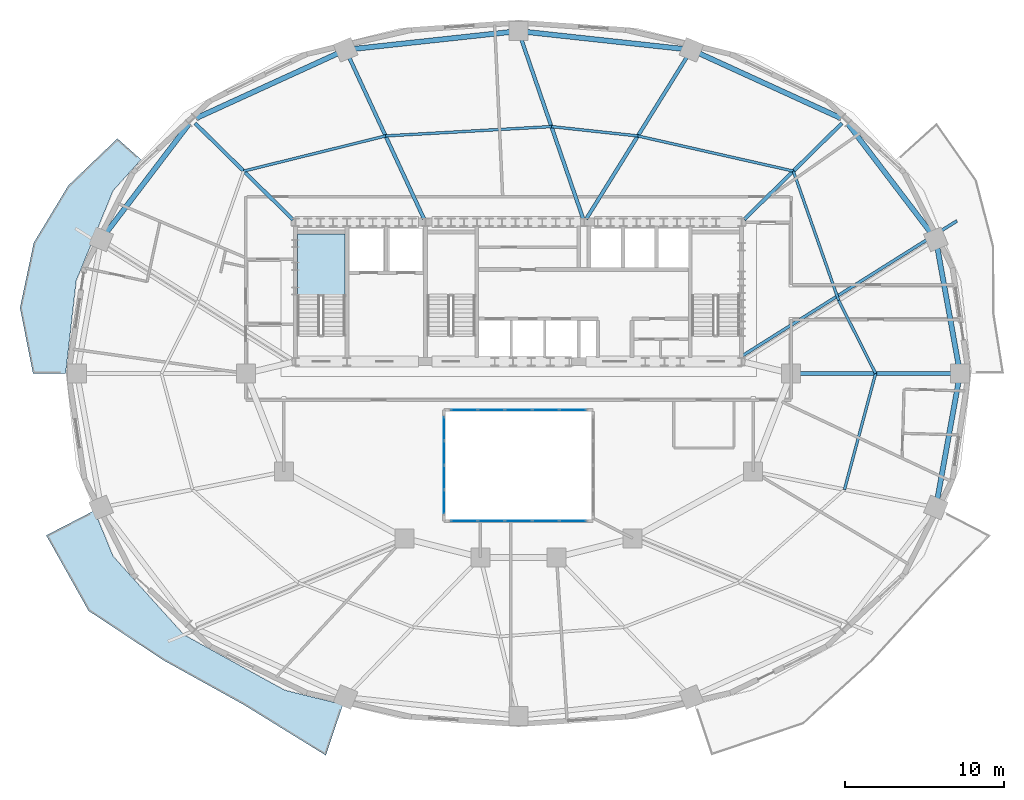
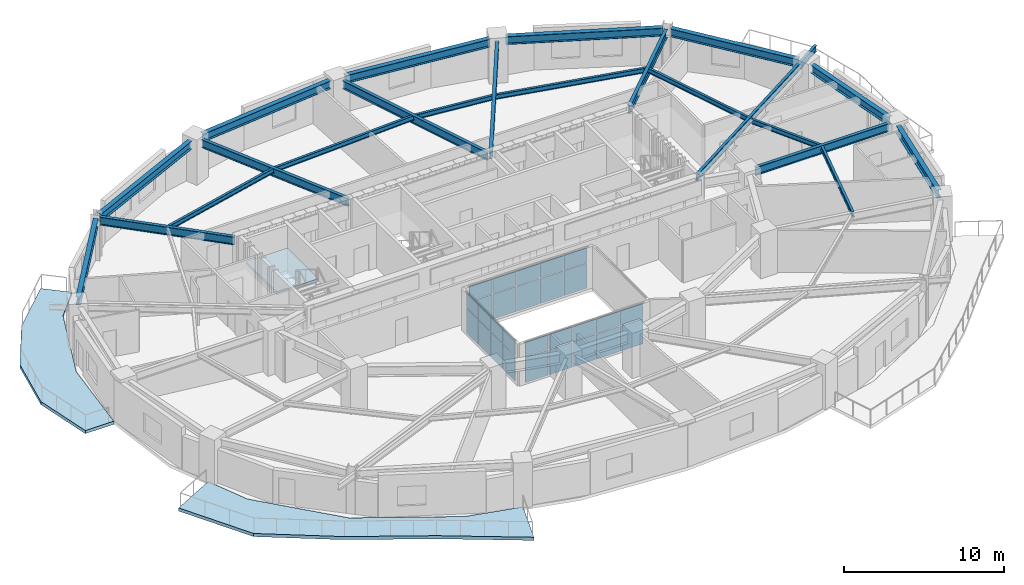
# One storey, part 5 of 13: 28 plates, 22 beams, 3 slabs, 4 elements without a shape of their own.
"""IFC4 building model written with IfcOpenShell, lengths in metres."""

from ifc_helpers import new_model, si_unit, direction, frame, origin, origin_2d, place, context, subcontext, project, spatial, polyline, rectangle, i_section, outline, extrude, material, layer, layer_set, material_profile, profile_set, type_object, element, aggregate, save


model = new_model("IFC4")

# Units and contexts
model_context = context("Model", 3, precision=1e-05, world=origin(), true_north=direction((0.0, 1.0)))
body_context = subcontext(model_context, "Body", "Model", "MODEL_VIEW")
ifc_project = project(units=[si_unit("LENGTHUNIT", "METRE"), si_unit("AREAUNIT", "SQUARE_METRE"), si_unit("VOLUMEUNIT", "CUBIC_METRE"), si_unit("PLANEANGLEUNIT", "RADIAN"), si_unit("MASSUNIT", "GRAM", prefix="KILO")], contexts=[model_context])

# Site, building, storey
site_placement = place(None, origin())
site = spatial("IfcSite", under=ifc_project, at=site_placement, CompositionType="ELEMENT")
building_placement = place(site_placement, origin())
building = spatial("IfcBuilding", under=site, at=building_placement, Name="Haldorwick Loom Tower", CompositionType="ELEMENT")
storey_placement = place(building_placement, frame((0.0, 0.0, 124.25)))
storey = spatial("IfcBuildingStorey", under=building, at=storey_placement, Name="L33", CompositionType="ELEMENT", Elevation=124.25)

# Beams
ifc_material_1 = material(Name="Steel CSA G40.21 350W", Category="steel")
ifc_material_profile_1 = material_profile(ifc_material_1, i_section(OverallWidth=0.193115234375, OverallDepth=0.466064453125, WebThickness=0.011474609375, FlangeThickness=0.01904296875, at=origin_2d()), Name="W460X97", Category="steel")
ifc_profile_set_1 = profile_set([ifc_material_profile_1], Name="Steel CSA G40.21 350W")
beam_type_1 = type_object("IfcBeamType", Name="STR-BM-BAL460", PredefinedType="BEAM", material=ifc_profile_set_1)
beam_1_placement = place(storey_placement, frame((50.111572265625, 27.106689453125, 2.97705078125), z_axis=(0.846609845451, 0.532214026108, 0.0), x_axis=(-0.532214026108, 0.846609845451, 0.0)))
element("IfcBeam", 1, at=beam_1_placement, inside=storey, type_object=beam_type_1, Name="L33 Continuous Back-Spanned Balcony Beam 4", PredefinedType="BEAM", context=body_context, shape_type="SweptSolid", body=[
    extrude(i_section(OverallWidth=0.193115234375, OverallDepth=0.466064453125, WebThickness=0.011474609375, FlangeThickness=0.01904296875, at=origin_2d()), origin(), (0.0, 0.0, 1.0), 16.0068359375),
])
ifc_material_profile_2 = material_profile(ifc_material_1, i_section(OverallWidth=0.172119140625, OverallDepth=0.35791015625, WebThickness=0.0078125, FlangeThickness=0.01318359375, at=origin_2d()), Name="W360X57", Category="steel")
ifc_profile_set_2 = profile_set([ifc_material_profile_2], Name="Steel CSA G40.21 350W")
beam_type_2 = type_object("IfcBeamType", Name="STR-BM-J360", PredefinedType="JOIST", material=ifc_profile_set_2)
beam_2_placement = place(storey_placement, frame((58.52880859375, 26.0, 3.031005859375), z_axis=(-0.451373231558, 0.892335254169, 0.0), x_axis=(-0.892335254169, -0.451373231558, 0.0)))
element("IfcBeam", 2, at=beam_2_placement, inside=storey, type_object=beam_type_2, Name="L33 Mid-Bay Secondary Joist 1", PredefinedType="JOIST", context=body_context, shape_type="SweptSolid", body=[
    extrude(i_section(OverallWidth=0.172119140625, OverallDepth=0.35791015625, WebThickness=0.0078125, FlangeThickness=0.01318359375, at=origin_2d()), origin(), (0.0, 0.0, 1.0), 5.158935546875),
])
beam_3_placement = place(storey_placement, frame((56.2001953125, 30.603515625, 3.031005859375), z_axis=(-0.330864603503, 0.943678236556, 0.0), x_axis=(-0.943678236556, -0.330864603503, 0.0)))
element("IfcBeam", 3, at=beam_3_placement, inside=storey, type_object=beam_type_2, Name="L33 Mid-Bay Secondary Joist 2", PredefinedType="JOIST", context=body_context, shape_type="SweptSolid", body=[
    extrude(i_section(OverallWidth=0.172119140625, OverallDepth=0.35791015625, WebThickness=0.0078125, FlangeThickness=0.01318359375, at=origin_2d()), origin(), (0.0, 0.0, 1.0), 8.6494140625),
])
beam_4_placement = place(storey_placement, frame((53.33837890625, 38.765869140625, 3.031005859375), z_axis=(-0.975380231772, 0.22052982444, 0.0), x_axis=(-0.22052982444, -0.975380231772, 0.0)))
element("IfcBeam", 4, at=beam_4_placement, inside=storey, type_object=beam_type_2, Name="L33 Mid-Bay Secondary Joist 3", PredefinedType="JOIST", context=body_context, shape_type="SweptSolid", body=[
    extrude(i_section(OverallWidth=0.172119140625, OverallDepth=0.35791015625, WebThickness=0.0078125, FlangeThickness=0.01318359375, at=origin_2d()), origin(), (0.0, 0.0, 1.0), 10.0576171875),
])
beam_5_placement = place(storey_placement, frame((43.5283203125, 40.98388671875, 3.031005859375), z_axis=(-0.994191869342, 0.107622148904, 0.0), x_axis=(-0.107622148904, -0.994191869342, 0.0)))
element("IfcBeam", 5, at=beam_5_placement, inside=storey, type_object=beam_type_2, Name="L33 Mid-Bay Secondary Joist 4", PredefinedType="JOIST", context=body_context, shape_type="SweptSolid", body=[
    extrude(i_section(OverallWidth=0.172119140625, OverallDepth=0.35791015625, WebThickness=0.0078125, FlangeThickness=0.01318359375, at=origin_2d()), origin(), (0.0, 0.0, 1.0), 5.485107421875),
])
beam_6_placement = place(storey_placement, frame((38.074951171875, 41.57421875, 3.031005859375), z_axis=(-0.998412171013, -0.056330602457, 0.0), x_axis=(0.056330602457, -0.998412171013, 0.0)))
element("IfcBeam", 6, at=beam_6_placement, inside=storey, type_object=beam_type_2, Name="L33 Mid-Bay Secondary Joist 5", PredefinedType="JOIST", context=body_context, shape_type="SweptSolid", body=[
    extrude(i_section(OverallWidth=0.172119140625, OverallDepth=0.35791015625, WebThickness=0.0078125, FlangeThickness=0.01318359375, at=origin_2d()), origin(), (0.0, 0.0, 1.0), 10.479736328125),
])
beam_7_placement = place(storey_placement, frame((27.61181640625, 40.98388671875, 3.031005859375), z_axis=(-0.970638838364, -0.240541567009, 0.0), x_axis=(0.240541567009, -0.970638838364, 0.0)))
element("IfcBeam", 7, at=beam_7_placement, inside=storey, type_object=beam_type_2, Name="L33 Mid-Bay Secondary Joist 6", PredefinedType="JOIST", context=body_context, shape_type="SweptSolid", body=[
    extrude(i_section(OverallWidth=0.172119140625, OverallDepth=0.35791015625, WebThickness=0.0078125, FlangeThickness=0.01318359375, at=origin_2d()), origin(), (0.0, 0.0, 1.0), 9.220947265625),
])
beam_8_placement = place(storey_placement, frame((56.565185546875, 18.67138671875, 3.031005859375), z_axis=(0.258810072536, 0.965928230436, 0.0), x_axis=(-0.965928230436, 0.258810072536, 0.0)))
element("IfcBeam", 8, at=beam_8_placement, inside=storey, type_object=beam_type_2, Name="L33 Mid-Bay Secondary Joist 16", PredefinedType="JOIST", context=body_context, shape_type="SweptSolid", body=[
    extrude(i_section(OverallWidth=0.172119140625, OverallDepth=0.35791015625, WebThickness=0.0078125, FlangeThickness=0.01318359375, at=origin_2d()), origin(), (0.0, 0.0, 1.0), 7.587158203125),
])
ifc_material_profile_3 = material_profile(ifc_material_1, i_section(OverallWidth=0.324951171875, OverallDepth=0.615966796875, WebThickness=0.013916015625, FlangeThickness=0.021484375, at=origin_2d()), Name="W610X174", Category="steel")
ifc_profile_set_3 = profile_set([ifc_material_profile_3], Name="Steel CSA G40.21 350W")
beam_type_3 = type_object("IfcBeamType", Name="STR-BM-SP610", PredefinedType="SPANDREL", material=ifc_profile_set_3)
beam_9_placement = place(storey_placement, frame((63.76513671875, 26.51171875, 2.902099609375), z_axis=(-0.177659490888, 0.984092020747, 0.0), x_axis=(-0.984092020747, -0.177659490888, 0.0)))
element("IfcBeam", 9, at=beam_9_placement, inside=storey, type_object=beam_type_3, Name="L33 Perimeter Spandrel 1", PredefinedType="SPANDREL", context=body_context, shape_type="SweptSolid", body=[
    extrude(i_section(OverallWidth=0.324951171875, OverallDepth=0.615966796875, WebThickness=0.013916015625, FlangeThickness=0.021484375, at=origin_2d()), origin(), (0.0, 0.0, 1.0), 7.553955078125),
])
beam_10_placement = place(storey_placement, frame((62.015869140625, 34.87109375, 2.902099609375), z_axis=(-0.605453508047, 0.795880675475, 0.0), x_axis=(-0.795880675475, -0.605453508047, 0.0)))
element("IfcBeam", 10, at=beam_10_placement, inside=storey, type_object=beam_type_3, Name="L33 Perimeter Spandrel 2", PredefinedType="SPANDREL", context=body_context, shape_type="SweptSolid", body=[
    extrude(i_section(OverallWidth=0.324951171875, OverallDepth=0.615966796875, WebThickness=0.013916015625, FlangeThickness=0.021484375, at=origin_2d()), origin(), (0.0, 0.0, 1.0), 8.6591796875),
])
beam_11_placement = place(storey_placement, frame((56.356689453125, 42.09619140625, 2.902099609375), z_axis=(-0.909423969306, 0.415870225011, 0.0), x_axis=(-0.415870225011, -0.909423969306, 0.0)))
element("IfcBeam", 11, at=beam_11_placement, inside=storey, type_object=beam_type_3, Name="L33 Perimeter Spandrel 3", PredefinedType="SPANDREL", context=body_context, shape_type="SweptSolid", body=[
    extrude(i_section(OverallWidth=0.324951171875, OverallDepth=0.615966796875, WebThickness=0.013916015625, FlangeThickness=0.021484375, at=origin_2d()), origin(), (0.0, 0.0, 1.0), 9.871337890625),
])
for number, where, z_axis, x_axis, name in (
    (12, (46.389404296875, 46.4736328125, 2.902099609375), (-0.994190135627, 0.107638163409, 0.0), (-0.107638163409, -0.994190135627, 0.0), "L33 Perimeter Spandrel 4"),
    (13, (35.48291015625, 47.54248046875, 2.902099609375), (-0.994190135627, -0.107638163409, 0.0), (0.107638163409, -0.994190135627, 0.0), "L33 Perimeter Spandrel 5"),
):
    element("IfcBeam", number, at=place(storey_placement, frame(where, z_axis=z_axis, x_axis=x_axis)), inside=storey, type_object=beam_type_3, Name=name, PredefinedType="SPANDREL", context=body_context, shape_type="SweptSolid", body=[
        extrude(i_section(OverallWidth=0.324951171875, OverallDepth=0.615966796875, WebThickness=0.013916015625, FlangeThickness=0.021484375, at=origin_2d()), origin(), (0.0, 0.0, 1.0), 9.929931640625),
    ])
beam_12_placement = place(storey_placement, frame((24.62060546875, 46.201416015625, 2.902099609375), z_axis=(-0.909423969306, -0.415870225011, 0.0), x_axis=(0.415870225011, -0.909423969306, 0.0)))
element("IfcBeam", 14, at=beam_12_placement, inside=storey, type_object=beam_type_3, Name="L33 Perimeter Spandrel 6", PredefinedType="SPANDREL", context=body_context, shape_type="SweptSolid", body=[
    extrude(i_section(OverallWidth=0.324951171875, OverallDepth=0.615966796875, WebThickness=0.013916015625, FlangeThickness=0.021484375, at=origin_2d()), origin(), (0.0, 0.0, 1.0), 9.871337890625),
])
beam_13_placement = place(storey_placement, frame((15.226806640625, 41.7626953125, 2.902099609375), z_axis=(-0.605453508047, -0.795880675475, 0.0), x_axis=(0.795880675475, -0.605453508047, 0.0)))
element("IfcBeam", 15, at=beam_13_placement, inside=storey, type_object=beam_type_3, Name="L33 Perimeter Spandrel 7", PredefinedType="SPANDREL", context=body_context, shape_type="SweptSolid", body=[
    extrude(i_section(OverallWidth=0.324951171875, OverallDepth=0.615966796875, WebThickness=0.013916015625, FlangeThickness=0.021484375, at=origin_2d()), origin(), (0.0, 0.0, 1.0), 8.6591796875),
])
beam_14_placement = place(storey_placement, frame((62.423095703125, 18.054443359375, 2.902099609375), z_axis=(0.177659490888, 0.984092020747, 0.0), x_axis=(-0.984092020747, 0.177659490888, 0.0)))
element("IfcBeam", 16, at=beam_14_placement, inside=storey, type_object=beam_type_3, Name="L33 Perimeter Spandrel 16", PredefinedType="SPANDREL", context=body_context, shape_type="SweptSolid", body=[
    extrude(i_section(OverallWidth=0.324951171875, OverallDepth=0.615966796875, WebThickness=0.013916015625, FlangeThickness=0.021484375, at=origin_2d()), origin(), (0.0, 0.0, 1.0), 7.553955078125),
])
ifc_material_profile_4 = material_profile(ifc_material_1, i_section(OverallWidth=0.22998046875, OverallDepth=0.616943359375, WebThickness=0.01318359375, FlangeThickness=0.022216796875, at=origin_2d()), Name="W610X140", Category="steel")
ifc_profile_set_4 = profile_set([ifc_material_profile_4], Name="Steel CSA G40.21 350W")
beam_type_4 = type_object("IfcBeamType", Name="STR-BM-W610B", PredefinedType="BEAM", material=ifc_profile_set_4)
beam_15_placement = place(storey_placement, frame((53.719970703125, 26.0, 2.901611328125), z_axis=(1.0, 0.0, 0.0), x_axis=(0.0, 1.0, 0.0)))
element("IfcBeam", 17, at=beam_15_placement, inside=storey, type_object=beam_type_4, Name="L33 Radial Floor Girder 1", PredefinedType="BEAM", context=body_context, shape_type="SweptSolid", body=[
    extrude(i_section(OverallWidth=0.22998046875, OverallDepth=0.616943359375, WebThickness=0.01318359375, FlangeThickness=0.022216796875, at=origin_2d()), origin(), (0.0, 0.0, 1.0), 9.61767578125),
])
beam_16_placement = place(storey_placement, frame((50.23046875, 35.707763671875, 2.901611328125), z_axis=(0.712813667541, 0.701353459653, 0.0), x_axis=(-0.701353459653, 0.712813667541, 0.0)))
element("IfcBeam", 18, at=beam_16_placement, inside=storey, type_object=beam_type_4, Name="L33 Radial Floor Girder 3", PredefinedType="BEAM", context=body_context, shape_type="SweptSolid", body=[
    extrude(i_section(OverallWidth=0.22998046875, OverallDepth=0.616943359375, WebThickness=0.01318359375, FlangeThickness=0.022216796875, at=origin_2d()), origin(), (0.0, 0.0, 1.0), 8.67041015625),
])
beam_17_placement = place(storey_placement, frame((40.268798828125, 35.7412109375, 2.901611328125), z_axis=(0.527983484361, 0.849254638046, 0.0), x_axis=(-0.849254638046, 0.527983484361, 0.0)))
element("IfcBeam", 19, at=beam_17_placement, inside=storey, type_object=beam_type_4, Name="L33 Radial Floor Girder 4", PredefinedType="BEAM", context=body_context, shape_type="SweptSolid", body=[
    extrude(i_section(OverallWidth=0.22998046875, OverallDepth=0.616943359375, WebThickness=0.01318359375, FlangeThickness=0.022216796875, at=origin_2d()), origin(), (0.0, 0.0, 1.0), 12.051513671875),
])
beam_18_placement = place(storey_placement, frame((40.07666015625, 35.7626953125, 2.901611328125), z_axis=(-0.325673980289, 0.945482130218, 0.0), x_axis=(-0.945482130218, -0.325673980289, 0.0)))
element("IfcBeam", 20, at=beam_18_placement, inside=storey, type_object=beam_type_4, Name="L33 Radial Floor Girder 5", PredefinedType="BEAM", context=body_context, shape_type="SweptSolid", body=[
    extrude(i_section(OverallWidth=0.22998046875, OverallDepth=0.616943359375, WebThickness=0.01318359375, FlangeThickness=0.022216796875, at=origin_2d()), origin(), (0.0, 0.0, 1.0), 11.998046875),
])
beam_19_placement = place(storey_placement, frame((30.035400390625, 35.754150390625, 2.901611328125), z_axis=(-0.420492432459, 0.907296045536, 0.0), x_axis=(-0.907296045536, -0.420492432459, 0.0)))
element("IfcBeam", 21, at=beam_19_placement, inside=storey, type_object=beam_type_4, Name="L33 Radial Floor Girder 6", PredefinedType="BEAM", context=body_context, shape_type="SweptSolid", body=[
    extrude(i_section(OverallWidth=0.22998046875, OverallDepth=0.616943359375, WebThickness=0.01318359375, FlangeThickness=0.022216796875, at=origin_2d()), origin(), (0.0, 0.0, 1.0), 11.23291015625),
])
beam_20_placement = place(storey_placement, frame((21.76953125, 35.707763671875, 2.901611328125), z_axis=(-0.712813667541, 0.701353459653, 0.0), x_axis=(-0.701353459653, -0.712813667541, 0.0)))
element("IfcBeam", 22, at=beam_20_placement, inside=storey, type_object=beam_type_4, Name="L33 Radial Floor Girder 7", PredefinedType="BEAM", context=body_context, shape_type="SweptSolid", body=[
    extrude(i_section(OverallWidth=0.22998046875, OverallDepth=0.616943359375, WebThickness=0.01318359375, FlangeThickness=0.022216796875, at=origin_2d()), origin(), (0.0, 0.0, 1.0), 8.67041015625),
])

# Curtain wall, plates
ifc_material_2 = material(Name="Thermally Broken Anodized Aluminium Curtain Wall Framing", Category="aluminium")
curtain_wall_type = type_object("IfcCurtainWallType", Name="ARC-CW-03", PredefinedType="NOTDEFINED", material=ifc_material_2)
curtain_wall_1_placement = place(storey_placement, origin())
curtain_wall_1 = element("IfcCurtainWall", 23, at=curtain_wall_1_placement, inside=storey, type_object=curtain_wall_type, Name="L33 Atrium Glazed Screen S", PredefinedType="NOTDEFINED")
ifc_material_3 = material(Name="Triple-Glazed Low-E Argon Insulated Glazing Unit", Category="glass")
ifc_layer_1 = layer(ifc_material_3, 0.04296875, Name="Triple-Glazed Low-E Argon Insulated Glazing Unit", Category="glass")
ifc_layer_set_1 = layer_set([ifc_layer_1], Name="Triple-Glazed Low-E Argon Insulated Glazing Unit")
plate_type = type_object("IfcPlateType", Name="ARC-CWP-03", PredefinedType="CURTAIN_PANEL", material=ifc_layer_set_1)
plate_1_placement = place(storey_placement, frame((39.423583984375, 16.699951171875, 0.066162109375), z_axis=(0.0, 0.0, 1.0), x_axis=(-1.0, 0.0, 0.0)))
plate_1 = element("IfcPlate", 24, at=plate_1_placement, type_object=plate_type, Name="CW-03 panel 1.1", PredefinedType="CURTAIN_PANEL", context=body_context, shape_type="SweptSolid", body=[
    extrude(rectangle(XDim=1.62109375, YDim=0.04296875, at=origin_2d()), origin(), (0.0, 0.0, 1.0), 1.90087890625),
])
plate_2_placement = place(storey_placement, frame((39.423583984375, 16.699951171875, 2.03271484375), z_axis=(0.0, 0.0, 1.0), x_axis=(-1.0, 0.0, 0.0)))
plate_2 = element("IfcPlate", 25, at=plate_2_placement, type_object=plate_type, Name="CW-03 panel 1.2", PredefinedType="CURTAIN_PANEL", context=body_context, shape_type="SweptSolid", body=[
    extrude(rectangle(XDim=1.62109375, YDim=0.04296875, at=origin_2d()), origin(), (0.0, 0.0, 1.0), 1.111083984375),
])
plate_3_placement = place(storey_placement, frame((37.719970703125, 16.699951171875, 0.066162109375), z_axis=(0.0, 0.0, 1.0), x_axis=(-1.0, 0.0, 0.0)))
plate_3 = element("IfcPlate", 26, at=plate_3_placement, type_object=plate_type, Name="CW-03 panel 2.1", PredefinedType="CURTAIN_PANEL", context=body_context, shape_type="SweptSolid", body=[
    extrude(rectangle(XDim=1.654052734375, YDim=0.04296875, at=origin_2d()), origin(), (0.0, 0.0, 1.0), 1.90087890625),
])
plate_4_placement = place(storey_placement, frame((37.719970703125, 16.699951171875, 2.03271484375), z_axis=(0.0, 0.0, 1.0), x_axis=(-1.0, 0.0, 0.0)))
plate_4 = element("IfcPlate", 27, at=plate_4_placement, type_object=plate_type, Name="CW-03 panel 2.2", PredefinedType="CURTAIN_PANEL", context=body_context, shape_type="SweptSolid", body=[
    extrude(rectangle(XDim=1.654052734375, YDim=0.04296875, at=origin_2d()), origin(), (0.0, 0.0, 1.0), 1.111083984375),
])
plate_5_placement = place(storey_placement, frame((36.0, 16.699951171875, 0.066162109375), z_axis=(0.0, 0.0, 1.0), x_axis=(-1.0, 0.0, 0.0)))
plate_5 = element("IfcPlate", 28, at=plate_5_placement, type_object=plate_type, Name="CW-03 panel 3.1", PredefinedType="CURTAIN_PANEL", context=body_context, shape_type="SweptSolid", body=[
    extrude(rectangle(XDim=1.654052734375, YDim=0.04296875, at=origin_2d()), origin(), (0.0, 0.0, 1.0), 1.90087890625),
])
plate_6_placement = place(storey_placement, frame((36.0, 16.699951171875, 2.03271484375), z_axis=(0.0, 0.0, 1.0), x_axis=(-1.0, 0.0, 0.0)))
plate_6 = element("IfcPlate", 29, at=plate_6_placement, type_object=plate_type, Name="CW-03 panel 3.2", PredefinedType="CURTAIN_PANEL", context=body_context, shape_type="SweptSolid", body=[
    extrude(rectangle(XDim=1.654052734375, YDim=0.04296875, at=origin_2d()), origin(), (0.0, 0.0, 1.0), 1.111083984375),
])
plate_7_placement = place(storey_placement, frame((34.280029296875, 16.699951171875, 0.066162109375), z_axis=(0.0, 0.0, 1.0), x_axis=(-1.0, 0.0, 0.0)))
plate_7 = element("IfcPlate", 30, at=plate_7_placement, type_object=plate_type, Name="CW-03 panel 4.1", PredefinedType="CURTAIN_PANEL", context=body_context, shape_type="SweptSolid", body=[
    extrude(rectangle(XDim=1.654052734375, YDim=0.04296875, at=origin_2d()), origin(), (0.0, 0.0, 1.0), 1.90087890625),
])
plate_8_placement = place(storey_placement, frame((34.280029296875, 16.699951171875, 2.03271484375), z_axis=(0.0, 0.0, 1.0), x_axis=(-1.0, 0.0, 0.0)))
plate_8 = element("IfcPlate", 31, at=plate_8_placement, type_object=plate_type, Name="CW-03 panel 4.2", PredefinedType="CURTAIN_PANEL", context=body_context, shape_type="SweptSolid", body=[
    extrude(rectangle(XDim=1.654052734375, YDim=0.04296875, at=origin_2d()), origin(), (0.0, 0.0, 1.0), 1.111083984375),
])
plate_9_placement = place(storey_placement, frame((32.576416015625, 16.699951171875, 0.066162109375), z_axis=(0.0, 0.0, 1.0), x_axis=(-1.0, 0.0, 0.0)))
plate_9 = element("IfcPlate", 32, at=plate_9_placement, type_object=plate_type, Name="CW-03 panel 5.1", PredefinedType="CURTAIN_PANEL", context=body_context, shape_type="SweptSolid", body=[
    extrude(rectangle(XDim=1.62109375, YDim=0.04296875, at=origin_2d()), origin(), (0.0, 0.0, 1.0), 1.90087890625),
])
plate_10_placement = place(storey_placement, frame((32.576416015625, 16.699951171875, 2.03271484375), z_axis=(0.0, 0.0, 1.0), x_axis=(-1.0, 0.0, 0.0)))
plate_10 = element("IfcPlate", 33, at=plate_10_placement, type_object=plate_type, Name="CW-03 panel 5.2", PredefinedType="CURTAIN_PANEL", context=body_context, shape_type="SweptSolid", body=[
    extrude(rectangle(XDim=1.62109375, YDim=0.04296875, at=origin_2d()), origin(), (0.0, 0.0, 1.0), 1.111083984375),
])
aggregate(curtain_wall_1, [plate_1, plate_2, plate_3, plate_4, plate_5, plate_6, plate_7, plate_8, plate_9, plate_10])

curtain_wall_2_placement = place(storey_placement, origin())
curtain_wall_2 = element("IfcCurtainWall", 34, at=curtain_wall_2_placement, inside=storey, type_object=curtain_wall_type, Name="L33 Atrium Glazed Screen N", PredefinedType="NOTDEFINED")
plate_11_placement = place(storey_placement, frame((32.576416015625, 23.699951171875, 0.066162109375), z_axis=(0.0, 0.0, 1.0), x_axis=(1.0, 0.0, 0.0)))
plate_11 = element("IfcPlate", 35, at=plate_11_placement, type_object=plate_type, Name="CW-03 panel 1.1", PredefinedType="CURTAIN_PANEL", context=body_context, shape_type="SweptSolid", body=[
    extrude(rectangle(XDim=1.62109375, YDim=0.04296875, at=origin_2d()), origin(), (0.0, 0.0, 1.0), 1.90087890625),
])
plate_12_placement = place(storey_placement, frame((32.576416015625, 23.699951171875, 2.03271484375), z_axis=(0.0, 0.0, 1.0), x_axis=(1.0, 0.0, 0.0)))
plate_12 = element("IfcPlate", 36, at=plate_12_placement, type_object=plate_type, Name="CW-03 panel 1.2", PredefinedType="CURTAIN_PANEL", context=body_context, shape_type="SweptSolid", body=[
    extrude(rectangle(XDim=1.62109375, YDim=0.04296875, at=origin_2d()), origin(), (0.0, 0.0, 1.0), 1.111083984375),
])
plate_13_placement = place(storey_placement, frame((34.280029296875, 23.699951171875, 0.066162109375), z_axis=(0.0, 0.0, 1.0), x_axis=(1.0, 0.0, 0.0)))
plate_13 = element("IfcPlate", 37, at=plate_13_placement, type_object=plate_type, Name="CW-03 panel 2.1", PredefinedType="CURTAIN_PANEL", context=body_context, shape_type="SweptSolid", body=[
    extrude(rectangle(XDim=1.654052734375, YDim=0.04296875, at=origin_2d()), origin(), (0.0, 0.0, 1.0), 1.90087890625),
])
plate_14_placement = place(storey_placement, frame((34.280029296875, 23.699951171875, 2.03271484375), z_axis=(0.0, 0.0, 1.0), x_axis=(1.0, 0.0, 0.0)))
plate_14 = element("IfcPlate", 38, at=plate_14_placement, type_object=plate_type, Name="CW-03 panel 2.2", PredefinedType="CURTAIN_PANEL", context=body_context, shape_type="SweptSolid", body=[
    extrude(rectangle(XDim=1.654052734375, YDim=0.04296875, at=origin_2d()), origin(), (0.0, 0.0, 1.0), 1.111083984375),
])
plate_15_placement = place(storey_placement, frame((36.0, 23.699951171875, 0.066162109375), z_axis=(0.0, 0.0, 1.0), x_axis=(1.0, 0.0, 0.0)))
plate_15 = element("IfcPlate", 39, at=plate_15_placement, type_object=plate_type, Name="CW-03 panel 3.1", PredefinedType="CURTAIN_PANEL", context=body_context, shape_type="SweptSolid", body=[
    extrude(rectangle(XDim=1.654052734375, YDim=0.04296875, at=origin_2d()), origin(), (0.0, 0.0, 1.0), 1.90087890625),
])
plate_16_placement = place(storey_placement, frame((36.0, 23.699951171875, 2.03271484375), z_axis=(0.0, 0.0, 1.0), x_axis=(1.0, 0.0, 0.0)))
plate_16 = element("IfcPlate", 40, at=plate_16_placement, type_object=plate_type, Name="CW-03 panel 3.2", PredefinedType="CURTAIN_PANEL", context=body_context, shape_type="SweptSolid", body=[
    extrude(rectangle(XDim=1.654052734375, YDim=0.04296875, at=origin_2d()), origin(), (0.0, 0.0, 1.0), 1.111083984375),
])
plate_17_placement = place(storey_placement, frame((37.719970703125, 23.699951171875, 0.066162109375), z_axis=(0.0, 0.0, 1.0), x_axis=(1.0, 0.0, 0.0)))
plate_17 = element("IfcPlate", 41, at=plate_17_placement, type_object=plate_type, Name="CW-03 panel 4.1", PredefinedType="CURTAIN_PANEL", context=body_context, shape_type="SweptSolid", body=[
    extrude(rectangle(XDim=1.654052734375, YDim=0.04296875, at=origin_2d()), origin(), (0.0, 0.0, 1.0), 1.90087890625),
])
plate_18_placement = place(storey_placement, frame((37.719970703125, 23.699951171875, 2.03271484375), z_axis=(0.0, 0.0, 1.0), x_axis=(1.0, 0.0, 0.0)))
plate_18 = element("IfcPlate", 42, at=plate_18_placement, type_object=plate_type, Name="CW-03 panel 4.2", PredefinedType="CURTAIN_PANEL", context=body_context, shape_type="SweptSolid", body=[
    extrude(rectangle(XDim=1.654052734375, YDim=0.04296875, at=origin_2d()), origin(), (0.0, 0.0, 1.0), 1.111083984375),
])
plate_19_placement = place(storey_placement, frame((39.423583984375, 23.699951171875, 0.066162109375), z_axis=(0.0, 0.0, 1.0), x_axis=(1.0, 0.0, 0.0)))
plate_19 = element("IfcPlate", 43, at=plate_19_placement, type_object=plate_type, Name="CW-03 panel 5.1", PredefinedType="CURTAIN_PANEL", context=body_context, shape_type="SweptSolid", body=[
    extrude(rectangle(XDim=1.62109375, YDim=0.04296875, at=origin_2d()), origin(), (0.0, 0.0, 1.0), 1.90087890625),
])
plate_20_placement = place(storey_placement, frame((39.423583984375, 23.699951171875, 2.03271484375), z_axis=(0.0, 0.0, 1.0), x_axis=(1.0, 0.0, 0.0)))
plate_20 = element("IfcPlate", 44, at=plate_20_placement, type_object=plate_type, Name="CW-03 panel 5.2", PredefinedType="CURTAIN_PANEL", context=body_context, shape_type="SweptSolid", body=[
    extrude(rectangle(XDim=1.62109375, YDim=0.04296875, at=origin_2d()), origin(), (0.0, 0.0, 1.0), 1.111083984375),
])
aggregate(curtain_wall_2, [plate_11, plate_12, plate_13, plate_14, plate_15, plate_16, plate_17, plate_18, plate_19, plate_20])

curtain_wall_3_placement = place(storey_placement, origin())
curtain_wall_3 = element("IfcCurtainWall", 45, at=curtain_wall_3_placement, inside=storey, type_object=curtain_wall_type, Name="L33 Atrium Glazed Screen W", PredefinedType="NOTDEFINED")
plate_21_placement = place(storey_placement, frame((31.300048828125, 17.8916015625, 0.066162109375), z_axis=(0.0, 0.0, 1.0), x_axis=(0.0, 1.0, 0.0)))
plate_21 = element("IfcPlate", 46, at=plate_21_placement, type_object=plate_type, Name="CW-03 panel 1.1", PredefinedType="CURTAIN_PANEL", context=body_context, shape_type="SweptSolid", body=[
    extrude(rectangle(XDim=1.450927734375, YDim=0.04296875, at=origin_2d()), origin(), (0.0, 0.0, 1.0), 1.90087890625),
])
plate_22_placement = place(storey_placement, frame((31.300048828125, 17.8916015625, 2.03271484375), z_axis=(0.0, 0.0, 1.0), x_axis=(0.0, 1.0, 0.0)))
plate_22 = element("IfcPlate", 47, at=plate_22_placement, type_object=plate_type, Name="CW-03 panel 1.2", PredefinedType="CURTAIN_PANEL", context=body_context, shape_type="SweptSolid", body=[
    extrude(rectangle(XDim=1.450927734375, YDim=0.04296875, at=origin_2d()), origin(), (0.0, 0.0, 1.0), 1.111083984375),
])
plate_23_placement = place(storey_placement, frame((31.300048828125, 19.425048828125, 0.066162109375), z_axis=(0.0, 0.0, 1.0), x_axis=(0.0, 1.0, 0.0)))
plate_23 = element("IfcPlate", 48, at=plate_23_placement, type_object=plate_type, Name="CW-03 panel 2.1", PredefinedType="CURTAIN_PANEL", context=body_context, shape_type="SweptSolid", body=[
    extrude(rectangle(XDim=1.48388671875, YDim=0.04296875, at=origin_2d()), origin(), (0.0, 0.0, 1.0), 1.90087890625),
])
plate_24_placement = place(storey_placement, frame((31.300048828125, 19.425048828125, 2.03271484375), z_axis=(0.0, 0.0, 1.0), x_axis=(0.0, 1.0, 0.0)))
plate_24 = element("IfcPlate", 49, at=plate_24_placement, type_object=plate_type, Name="CW-03 panel 2.2", PredefinedType="CURTAIN_PANEL", context=body_context, shape_type="SweptSolid", body=[
    extrude(rectangle(XDim=1.48388671875, YDim=0.04296875, at=origin_2d()), origin(), (0.0, 0.0, 1.0), 1.111083984375),
])
plate_25_placement = place(storey_placement, frame((31.300048828125, 20.97509765625, 0.066162109375), z_axis=(0.0, 0.0, 1.0), x_axis=(0.0, 1.0, 0.0)))
plate_25 = element("IfcPlate", 50, at=plate_25_placement, type_object=plate_type, Name="CW-03 panel 3.1", PredefinedType="CURTAIN_PANEL", context=body_context, shape_type="SweptSolid", body=[
    extrude(rectangle(XDim=1.48388671875, YDim=0.04296875, at=origin_2d()), origin(), (0.0, 0.0, 1.0), 1.90087890625),
])
plate_26_placement = place(storey_placement, frame((31.300048828125, 20.97509765625, 2.03271484375), z_axis=(0.0, 0.0, 1.0), x_axis=(0.0, 1.0, 0.0)))
plate_26 = element("IfcPlate", 51, at=plate_26_placement, type_object=plate_type, Name="CW-03 panel 3.2", PredefinedType="CURTAIN_PANEL", context=body_context, shape_type="SweptSolid", body=[
    extrude(rectangle(XDim=1.48388671875, YDim=0.04296875, at=origin_2d()), origin(), (0.0, 0.0, 1.0), 1.111083984375),
])
plate_27_placement = place(storey_placement, frame((31.300048828125, 22.508544921875, 0.066162109375), z_axis=(0.0, 0.0, 1.0), x_axis=(0.0, 1.0, 0.0)))
plate_27 = element("IfcPlate", 52, at=plate_27_placement, type_object=plate_type, Name="CW-03 panel 4.1", PredefinedType="CURTAIN_PANEL", context=body_context, shape_type="SweptSolid", body=[
    extrude(rectangle(XDim=1.450927734375, YDim=0.04296875, at=origin_2d()), origin(), (0.0, 0.0, 1.0), 1.90087890625),
])
plate_28_placement = place(storey_placement, frame((31.300048828125, 22.508544921875, 2.03271484375), z_axis=(0.0, 0.0, 1.0), x_axis=(0.0, 1.0, 0.0)))
plate_28 = element("IfcPlate", 53, at=plate_28_placement, type_object=plate_type, Name="CW-03 panel 4.2", PredefinedType="CURTAIN_PANEL", context=body_context, shape_type="SweptSolid", body=[
    extrude(rectangle(XDim=1.450927734375, YDim=0.04296875, at=origin_2d()), origin(), (0.0, 0.0, 1.0), 1.111083984375),
])
aggregate(curtain_wall_3, [plate_21, plate_22, plate_23, plate_24, plate_25, plate_26, plate_27, plate_28])

# Slabs
ifc_material_4 = material(Name="Concrete C40 (40 MPa)", Category="concrete")
ifc_layer_2 = layer(ifc_material_4, 0.239990234375, Name="Concrete C40 (40 MPa)", Category="concrete")
ifc_layer_set_2 = layer_set([ifc_layer_2], Name="Concrete C40 (40 MPa)")
slab_type_1 = type_object("IfcSlabType", Name="STR-SLB-BAL240", PredefinedType="FLOOR", material=ifc_layer_set_2)
slab_1_placement = place(storey_placement, frame((0.0, 0.0, -0.239990234375)))
element("IfcSlab", 54, at=slab_1_placement, inside=storey, type_object=slab_type_1, Name="L33 Sinusoidal Balcony Terrace BAL_SW", PredefinedType="FLOOR", context=body_context, shape_type="SweptSolid", body=[
    extrude(outline(polyline([(24.91357421875, 5.10498046875), (21.23583984375, 6.022705078125), (21.234619140625, 6.023193359375), (21.2333984375, 6.023681640625), (21.232177734375, 6.0244140625), (14.89111328125, 9.51025390625), (14.8896484375, 9.510986328125), (14.88818359375, 9.51220703125), (14.88720703125, 9.51318359375), (10.4228515625, 14.464599609375), (10.421875, 14.465576171875), (10.421142578125, 14.466552734375), (10.420654296875, 14.4677734375), (10.419921875, 14.468994140625), (9.241455078125, 17.34814453125), (6.2060546875, 15.780517578125), (8.8740234375, 11.02294921875), (13.623291015625, 7.890380859375), (18.6640625, 5.097412109375), (23.844482421875, 1.90185546875), (24.91357421875, 5.10498046875)])), origin(), (0.0, 0.0, 1.0), 0.239990234375),
])
slab_2_placement = place(storey_placement, frame((0.0, 0.0, -0.239990234375)))
element("IfcSlab", 55, at=slab_2_placement, inside=storey, type_object=slab_type_1, Name="L33 Sinusoidal Balcony Terrace BAL_WNW", PredefinedType="FLOOR", context=body_context, shape_type="SweptSolid", body=[
    extrude(outline(polyline([(7.427490234375, 26.0), (7.427490234375, 26.001708984375), (8.09033203125, 31.837890625), (8.090576171875, 31.83935546875), (8.0908203125, 31.840576171875), (8.09130859375, 31.841796875), (10.419921875, 37.531005859375), (10.420654296875, 37.5322265625), (10.421142578125, 37.533447265625), (10.421875, 37.534423828125), (10.4228515625, 37.535400390625), (12.185791015625, 39.490966796875), (10.6923828125, 40.816162109375), (7.603271484375, 37.858642578125), (5.41748046875, 34.246337890625), (4.548095703125, 30.13720703125), (5.370849609375, 26.0), (7.427490234375, 26.0)])), origin(), (0.0, 0.0, 1.0), 0.239990234375),
])

# Stair, slab
stair_type = type_object("IfcStairType", Name="STR-STR-CORE", PredefinedType="HALF_TURN_STAIR", material=ifc_material_4)
stair_placement = place(storey_placement, origin())
stair = element("IfcStair", 56, at=stair_placement, inside=storey, type_object=stair_type, Name="L33 Exit Stair ST-01", PredefinedType="HALF_TURN_STAIR")
ifc_layer_3 = layer(ifc_material_4, 0.199951171875, Name="Concrete C40 (40 MPa)", Category="concrete")
ifc_layer_set_3 = layer_set([ifc_layer_3], Name="Concrete C40 (40 MPa)")
slab_type_2 = type_object("IfcSlabType", Name="STR-SLB-LAND200", PredefinedType="LANDING", material=ifc_layer_set_3)
slab_3_placement = place(storey_placement, frame((0.0, 0.0, 1.52490234375)))
slab_3 = element("IfcSlab", 57, at=slab_3_placement, type_object=slab_type_2, Name="ST-01 landing 1", PredefinedType="LANDING", context=body_context, shape_type="SweptSolid", body=[
    extrude(outline(polyline([(25.050048828125, 30.919921875), (25.050048828125, 34.800048828125), (22.050048828125, 34.800048828125), (22.050048828125, 30.919921875), (25.050048828125, 30.919921875)])), origin(), (0.0, 0.0, 1.0), 0.2001953125),
])
aggregate(stair, [slab_3])

save(model, "model.ifc")
